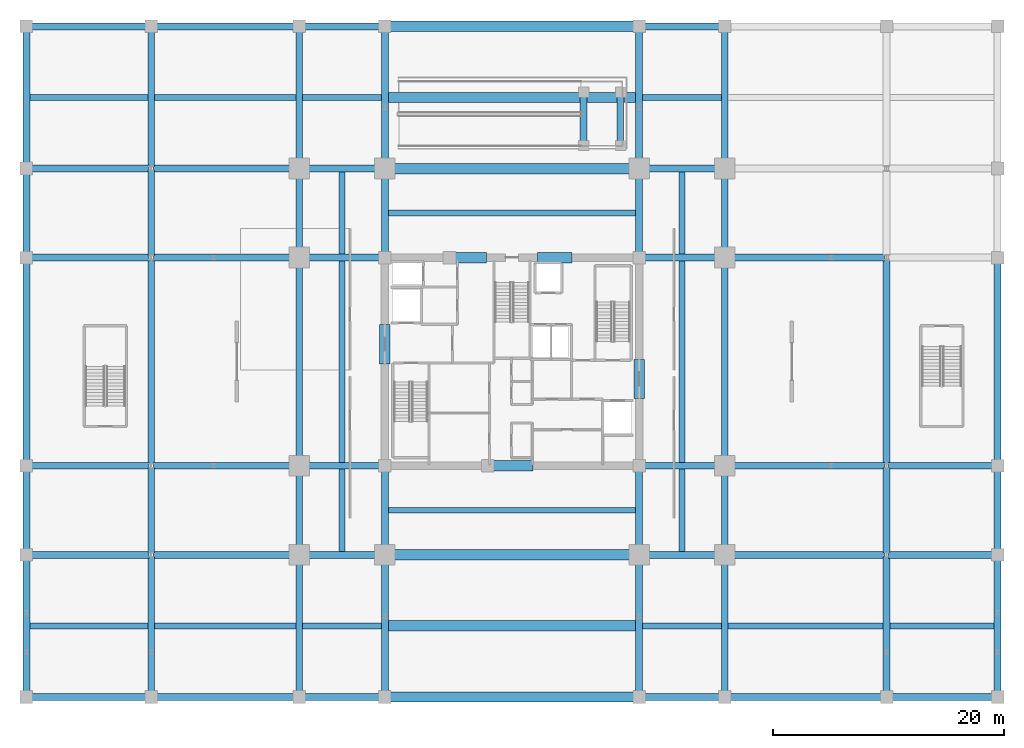
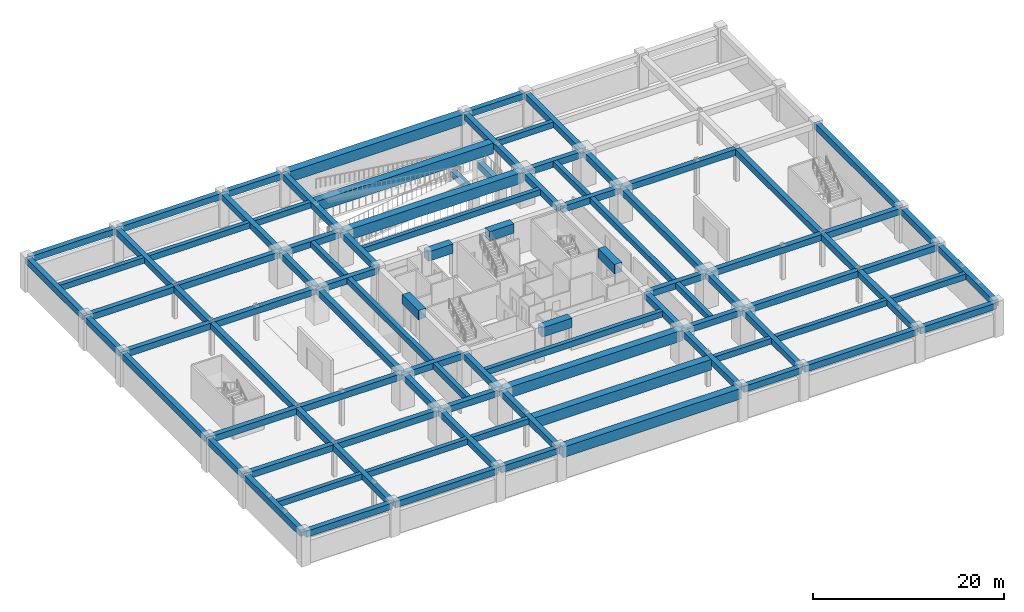
# One storey, part 4 of 16: 96 beams.
"""IFC4 building model written with IfcOpenShell, lengths in metres."""

from ifc_helpers import new_model, si_unit, direction, frame, origin, origin_2d, place, context, subcontext, project, spatial, rectangle, extrude, material, material_profile, profile_set, type_object, element, save


model = new_model("IFC4")

# Units and contexts
model_context = context("Model", 3, precision=1e-05, world=origin(), true_north=direction((0.0, 1.0)))
body_context = subcontext(model_context, "Body", "Model", "MODEL_VIEW")
ifc_project = project(units=[si_unit("LENGTHUNIT", "METRE"), si_unit("AREAUNIT", "SQUARE_METRE"), si_unit("VOLUMEUNIT", "CUBIC_METRE"), si_unit("PLANEANGLEUNIT", "RADIAN"), si_unit("MASSUNIT", "GRAM", prefix="KILO")], contexts=[model_context])

# Site, building, storey
site_placement = place(None, origin())
site = spatial("IfcSite", under=ifc_project, at=site_placement, CompositionType="ELEMENT")
building_placement = place(site_placement, origin())
building = spatial("IfcBuilding", under=site, at=building_placement, Name="Kovane Verandah Tower", CompositionType="ELEMENT")
storey_placement = place(building_placement, frame((0.0, 0.0, -4.5)))
storey = spatial("IfcBuildingStorey", under=building, at=storey_placement, Name="B1", CompositionType="ELEMENT", Elevation=-4.5)

# Beams
ifc_material_1 = material(Name="Concrete C80/95", Category="concrete")
ifc_material_profile_1 = material_profile(ifc_material_1, rectangle(XDim=0.89990234375, YDim=1.199951171875, at=origin_2d()), Name="RCB900x1200")
ifc_profile_set_1 = profile_set([ifc_material_profile_1], Name="Concrete C80/95")
beam_type_1 = type_object("IfcBeamType", Name="BM-LINTEL-900x1200", PredefinedType="LINTEL", material=ifc_profile_set_1)
beam_1_placement = place(storey_placement, frame((38.199951171875, 18.5, 3.6201171875), z_axis=(1.0, 0.0, 0.0), x_axis=(0.0, 1.0, 0.0)))
element("IfcBeam", 1, at=beam_1_placement, inside=storey, type_object=beam_type_1, Name="B1 Core Coupling Lintel CL-S", PredefinedType="LINTEL", context=body_context, shape_type="SweptSolid", body=[
    extrude(rectangle(XDim=0.89990234375, YDim=1.199951171875, at=origin_2d()), origin(), (0.0, 0.0, 1.0), 3.60009765625),
])
for number, where, z_axis, x_axis, name in (
    (2, (34.800048828125, 36.5, 3.6201171875), (1.0, 0.0, 0.0), (0.0, 1.0, 0.0), "B1 Core Coupling Lintel CL-N1"),
    (3, (42.199951171875, 36.5, 3.6201171875), (1.0, 0.0, 0.0), (0.0, 1.0, 0.0), "B1 Core Coupling Lintel CL-N2"),
):
    element("IfcBeam", number, at=place(storey_placement, frame(where, z_axis=z_axis, x_axis=x_axis)), inside=storey, type_object=beam_type_1, Name=name, PredefinedType="LINTEL", context=body_context, shape_type="SweptSolid", body=[
        extrude(rectangle(XDim=0.89990234375, YDim=1.199951171875, at=origin_2d()), origin(), (0.0, 0.0, 1.0), 3.0),
    ])
for number, where, z_axis, x_axis, name in (
    (4, (29.0, 27.300048828125, 3.6201171875), (0.0, 1.0, 0.0), (-1.0, 0.0, 0.0), "B1 Core Coupling Lintel CL-W"),
    (5, (51.0, 24.300048828125, 3.6201171875), (0.0, 1.0, 0.0), (-1.0, 0.0, 0.0), "B1 Core Coupling Lintel CL-E"),
):
    element("IfcBeam", number, at=place(storey_placement, frame(where, z_axis=z_axis, x_axis=x_axis)), inside=storey, type_object=beam_type_1, Name=name, PredefinedType="LINTEL", context=body_context, shape_type="SweptSolid", body=[
        extrude(rectangle(XDim=0.89990234375, YDim=1.199951171875, at=origin_2d()), origin(), (0.0, 0.0, 1.0), 3.39990234375),
    ])
ifc_material_2 = material(Name="Concrete C45/55", Category="concrete")
ifc_material_profile_2 = material_profile(ifc_material_2, rectangle(XDim=0.5, YDim=0.75, at=origin_2d()), Name="RCB500x750")
ifc_profile_set_2 = profile_set([ifc_material_profile_2], Name="Concrete C45/55")
beam_type_2 = type_object("IfcBeamType", Name="BM-RC-500x750", PredefinedType="BEAM", material=ifc_profile_set_2)
for number, where, z_axis, x_axis, name in (
    (6, (29.298095703125, 40.35009765625, 3.844970703125), (1.0, 0.0, 0.0), (0.0, 1.0, 0.0), "B1 Secondary Composite Joist J-N1"),
    (7, (29.298095703125, 14.64990234375, 3.844970703125), (1.0, 0.0, 0.0), (0.0, 1.0, 0.0), "B1 Secondary Composite Joist J-S1"),
):
    element("IfcBeam", number, at=place(storey_placement, frame(where, z_axis=z_axis, x_axis=x_axis)), inside=storey, type_object=beam_type_2, Name=name, PredefinedType="BEAM", context=body_context, shape_type="SweptSolid", body=[
        extrude(rectangle(XDim=0.5, YDim=0.75, at=origin_2d()), origin(), (0.0, 0.0, 1.0), 21.40380859375),
    ])
for number, where, z_axis, x_axis, name in (
    (8, (25.300048828125, 18.798095703125, 3.844970703125), (0.0, 1.0, 0.0), (-1.0, 0.0, 0.0), "B1 Secondary Composite Joist J-W1"),
    (9, (54.699951171875, 18.798095703125, 3.844970703125), (0.0, 1.0, 0.0), (-1.0, 0.0, 0.0), "B1 Secondary Composite Joist J-E1"),
):
    element("IfcBeam", number, at=place(storey_placement, frame(where, z_axis=z_axis, x_axis=x_axis)), inside=storey, type_object=beam_type_2, Name=name, PredefinedType="BEAM", context=body_context, shape_type="SweptSolid", body=[
        extrude(rectangle(XDim=0.5, YDim=0.75, at=origin_2d()), origin(), (0.0, 0.0, 1.0), 17.40380859375),
    ])
for number, where, z_axis, x_axis, name in (
    (10, (25.300048828125, 11.097900390625, 3.844970703125), (0.0, 1.0, 0.0), (-1.0, 0.0, 0.0), "B1 Secondary Composite Joist J-SW1"),
    (11, (54.699951171875, 11.097900390625, 3.844970703125), (0.0, 1.0, 0.0), (-1.0, 0.0, 0.0), "B1 Secondary Composite Joist J-SE1"),
    (12, (25.300048828125, 36.798095703125, 3.844970703125), (0.0, 1.0, 0.0), (-1.0, 0.0, 0.0), "B1 Secondary Composite Joist J-NW1"),
    (13, (54.699951171875, 36.798095703125, 3.844970703125), (0.0, 1.0, 0.0), (-1.0, 0.0, 0.0), "B1 Secondary Composite Joist J-NE1"),
):
    element("IfcBeam", number, at=place(storey_placement, frame(where, z_axis=z_axis, x_axis=x_axis)), inside=storey, type_object=beam_type_2, Name=name, PredefinedType="BEAM", context=body_context, shape_type="SweptSolid", body=[
        extrude(rectangle(XDim=0.5, YDim=0.75, at=origin_2d()), origin(), (0.0, 0.0, 1.0), 7.10400390625),
    ])
beam_2_placement = place(storey_placement, frame((-1.701904296875, 4.64990234375, 3.844970703125), z_axis=(1.0, 0.0, 0.0), x_axis=(0.0, 1.0, 0.0)))
element("IfcBeam", 14, at=beam_2_placement, inside=storey, type_object=beam_type_2, Name="B1 Podium Secondary Joist 01", PredefinedType="BEAM", context=body_context, shape_type="SweptSolid", body=[
    extrude(rectangle(XDim=0.5, YDim=0.75, at=origin_2d()), origin(), (0.0, 0.0, 1.0), 10.203857421875),
])
beam_3_placement = place(storey_placement, frame((9.097900390625, 4.64990234375, 3.844970703125), z_axis=(1.0, 0.0, 0.0), x_axis=(0.0, 1.0, 0.0)))
element("IfcBeam", 15, at=beam_3_placement, inside=storey, type_object=beam_type_2, Name="B1 Podium Secondary Joist 02", PredefinedType="BEAM", context=body_context, shape_type="SweptSolid", body=[
    extrude(rectangle(XDim=0.5, YDim=0.75, at=origin_2d()), origin(), (0.0, 0.0, 1.0), 12.2041015625),
])
for number, where, z_axis, x_axis, name in (
    (16, (21.89794921875, 4.64990234375, 3.844970703125), (1.0, 0.0, 0.0), (0.0, 1.0, 0.0), "B1 Podium Secondary Joist 03"),
    (17, (51.298095703125, 4.64990234375, 3.844970703125), (1.0, 0.0, 0.0), (0.0, 1.0, 0.0), "B1 Podium Secondary Joist 05"),
):
    element("IfcBeam", number, at=place(storey_placement, frame(where, z_axis=z_axis, x_axis=x_axis)), inside=storey, type_object=beam_type_2, Name=name, PredefinedType="BEAM", context=body_context, shape_type="SweptSolid", body=[
        extrude(rectangle(XDim=0.5, YDim=0.75, at=origin_2d()), origin(), (0.0, 0.0, 1.0), 6.803955078125),
    ])
beam_4_placement = place(storey_placement, frame((58.697998046875, 4.64990234375, 3.844970703125), z_axis=(1.0, 0.0, 0.0), x_axis=(0.0, 1.0, 0.0)))
element("IfcBeam", 18, at=beam_4_placement, inside=storey, type_object=beam_type_2, Name="B1 Podium Secondary Joist 06", PredefinedType="BEAM", context=body_context, shape_type="SweptSolid", body=[
    extrude(rectangle(XDim=0.5, YDim=0.75, at=origin_2d()), origin(), (0.0, 0.0, 1.0), 13.404052734375),
])
beam_5_placement = place(storey_placement, frame((72.697998046875, 4.64990234375, 3.844970703125), z_axis=(1.0, 0.0, 0.0), x_axis=(0.0, 1.0, 0.0)))
element("IfcBeam", 19, at=beam_5_placement, inside=storey, type_object=beam_type_2, Name="B1 Podium Secondary Joist 07", PredefinedType="BEAM", context=body_context, shape_type="SweptSolid", body=[
    extrude(rectangle(XDim=0.5, YDim=0.75, at=origin_2d()), origin(), (0.0, 0.0, 1.0), 9.00390625),
])
beam_6_placement = place(storey_placement, frame((-1.701904296875, 50.35009765625, 3.844970703125), z_axis=(1.0, 0.0, 0.0), x_axis=(0.0, 1.0, 0.0)))
element("IfcBeam", 20, at=beam_6_placement, inside=storey, type_object=beam_type_2, Name="B1 Podium Secondary Joist 08", PredefinedType="BEAM", context=body_context, shape_type="SweptSolid", body=[
    extrude(rectangle(XDim=0.5, YDim=0.75, at=origin_2d()), origin(), (0.0, 0.0, 1.0), 10.203857421875),
])
beam_7_placement = place(storey_placement, frame((9.097900390625, 50.35009765625, 3.844970703125), z_axis=(1.0, 0.0, 0.0), x_axis=(0.0, 1.0, 0.0)))
element("IfcBeam", 21, at=beam_7_placement, inside=storey, type_object=beam_type_2, Name="B1 Podium Secondary Joist 09", PredefinedType="BEAM", context=body_context, shape_type="SweptSolid", body=[
    extrude(rectangle(XDim=0.5, YDim=0.75, at=origin_2d()), origin(), (0.0, 0.0, 1.0), 12.2041015625),
])
for number, where, z_axis, x_axis, name in (
    (22, (21.89794921875, 50.35009765625, 3.844970703125), (1.0, 0.0, 0.0), (0.0, 1.0, 0.0), "B1 Podium Secondary Joist 10"),
    (23, (51.298095703125, 50.35009765625, 3.844970703125), (1.0, 0.0, 0.0), (0.0, 1.0, 0.0), "B1 Podium Secondary Joist 12"),
):
    element("IfcBeam", number, at=place(storey_placement, frame(where, z_axis=z_axis, x_axis=x_axis)), inside=storey, type_object=beam_type_2, Name=name, PredefinedType="BEAM", context=body_context, shape_type="SweptSolid", body=[
        extrude(rectangle(XDim=0.5, YDim=0.75, at=origin_2d()), origin(), (0.0, 0.0, 1.0), 6.803955078125),
    ])
ifc_material_profile_3 = material_profile(ifc_material_2, rectangle(XDim=0.60009765625, YDim=0.800048828125, at=origin_2d()), Name="RCB600x800")
ifc_profile_set_3 = profile_set([ifc_material_profile_3], Name="Concrete C45/55")
beam_type_3 = type_object("IfcBeamType", Name="BM-RC-600x800", PredefinedType="BEAM", material=ifc_profile_set_3)
for number, where, z_axis, x_axis, name in (
    (24, (21.780029296875, 44.199951171875, 3.820068359375), (1.0, 0.0, 0.0), (0.0, 1.0, 0.0), "B1 Primary Tower Girder G-RN1"),
    (25, (51.179931640625, 44.199951171875, 3.820068359375), (1.0, 0.0, 0.0), (0.0, 1.0, 0.0), "B1 Primary Tower Girder G-RN3"),
    (26, (21.780029296875, 10.800048828125, 3.820068359375), (1.0, 0.0, 0.0), (0.0, 1.0, 0.0), "B1 Primary Tower Girder G-RS1"),
    (27, (51.179931640625, 10.800048828125, 3.820068359375), (1.0, 0.0, 0.0), (0.0, 1.0, 0.0), "B1 Primary Tower Girder G-RS3"),
):
    element("IfcBeam", number, at=place(storey_placement, frame(where, z_axis=z_axis, x_axis=x_axis)), inside=storey, type_object=beam_type_3, Name=name, PredefinedType="BEAM", context=body_context, shape_type="SweptSolid", body=[
        extrude(rectangle(XDim=0.60009765625, YDim=0.800048828125, at=origin_2d()), origin(), (0.0, 0.0, 1.0), 7.0400390625),
    ])
beam_8_placement = place(storey_placement, frame((21.60009765625, 10.97998046875, 3.820068359375), z_axis=(0.0, 1.0, 0.0), x_axis=(-1.0, 0.0, 0.0)))
element("IfcBeam", 28, at=beam_8_placement, inside=storey, type_object=beam_type_3, Name="B1 Primary Tower Girder G-RW1", PredefinedType="BEAM", context=body_context, shape_type="SweptSolid", body=[
    extrude(rectangle(XDim=0.60009765625, YDim=0.800048828125, at=origin_2d()), origin(), (0.0, 0.0, 1.0), 7.340087890625),
])
beam_9_placement = place(storey_placement, frame((21.60009765625, 18.679931640625, 3.820068359375), z_axis=(0.0, 1.0, 0.0), x_axis=(-1.0, 0.0, 0.0)))
element("IfcBeam", 29, at=beam_9_placement, inside=storey, type_object=beam_type_3, Name="B1 Primary Tower Girder G-RW2", PredefinedType="BEAM", context=body_context, shape_type="SweptSolid", body=[
    extrude(rectangle(XDim=0.60009765625, YDim=0.800048828125, at=origin_2d()), origin(), (0.0, 0.0, 1.0), 17.64013671875),
])
for number, where, z_axis, x_axis, name in (
    (30, (21.60009765625, 36.679931640625, 3.820068359375), (0.0, 1.0, 0.0), (-1.0, 0.0, 0.0), "B1 Primary Tower Girder G-RW3"),
    (31, (58.39990234375, 10.97998046875, 3.820068359375), (0.0, 1.0, 0.0), (-1.0, 0.0, 0.0), "B1 Primary Tower Girder G-RE1"),
):
    element("IfcBeam", number, at=place(storey_placement, frame(where, z_axis=z_axis, x_axis=x_axis)), inside=storey, type_object=beam_type_3, Name=name, PredefinedType="BEAM", context=body_context, shape_type="SweptSolid", body=[
        extrude(rectangle(XDim=0.60009765625, YDim=0.800048828125, at=origin_2d()), origin(), (0.0, 0.0, 1.0), 7.340087890625),
    ])
beam_10_placement = place(storey_placement, frame((58.39990234375, 18.679931640625, 3.820068359375), z_axis=(0.0, 1.0, 0.0), x_axis=(-1.0, 0.0, 0.0)))
element("IfcBeam", 32, at=beam_10_placement, inside=storey, type_object=beam_type_3, Name="B1 Primary Tower Girder G-RE2", PredefinedType="BEAM", context=body_context, shape_type="SweptSolid", body=[
    extrude(rectangle(XDim=0.60009765625, YDim=0.800048828125, at=origin_2d()), origin(), (0.0, 0.0, 1.0), 17.64013671875),
])
beam_11_placement = place(storey_placement, frame((58.39990234375, 36.679931640625, 3.820068359375), z_axis=(0.0, 1.0, 0.0), x_axis=(-1.0, 0.0, 0.0)))
element("IfcBeam", 33, at=beam_11_placement, inside=storey, type_object=beam_type_3, Name="B1 Primary Tower Girder G-RE3", PredefinedType="BEAM", context=body_context, shape_type="SweptSolid", body=[
    extrude(rectangle(XDim=0.60009765625, YDim=0.800048828125, at=origin_2d()), origin(), (0.0, 0.0, 1.0), 7.340087890625),
])
for number, where, z_axis, x_axis, name in (
    (34, (28.820068359375, 18.5, 3.820068359375), (-1.0, 0.0, 0.0), (0.0, -1.0, 0.0), "B1 Primary Tower Girder G-W1"),
    (35, (28.820068359375, 36.5, 3.820068359375), (-1.0, 0.0, 0.0), (0.0, -1.0, 0.0), "B1 Primary Tower Girder G-W2"),
    (36, (51.179931640625, 18.5, 3.820068359375), (1.0, 0.0, 0.0), (0.0, 1.0, 0.0), "B1 Primary Tower Girder G-E1"),
    (37, (51.179931640625, 36.5, 3.820068359375), (1.0, 0.0, 0.0), (0.0, 1.0, 0.0), "B1 Primary Tower Girder G-E2"),
):
    element("IfcBeam", number, at=place(storey_placement, frame(where, z_axis=z_axis, x_axis=x_axis)), inside=storey, type_object=beam_type_3, Name=name, PredefinedType="BEAM", context=body_context, shape_type="SweptSolid", body=[
        extrude(rectangle(XDim=0.60009765625, YDim=0.800048828125, at=origin_2d()), origin(), (0.0, 0.0, 1.0), 7.0400390625),
    ])
for number, where, z_axis, x_axis, name in (
    (38, (29.0, 18.320068359375, 3.820068359375), (0.0, -1.0, 0.0), (1.0, 0.0, 0.0), "B1 Primary Tower Girder G-S1"),
    (39, (51.0, 18.320068359375, 3.820068359375), (0.0, -1.0, 0.0), (1.0, 0.0, 0.0), "B1 Primary Tower Girder G-S2"),
    (40, (29.0, 36.679931640625, 3.820068359375), (0.0, 1.0, 0.0), (-1.0, 0.0, 0.0), "B1 Primary Tower Girder G-N1"),
    (41, (51.0, 36.679931640625, 3.820068359375), (0.0, 1.0, 0.0), (-1.0, 0.0, 0.0), "B1 Primary Tower Girder G-N2"),
):
    element("IfcBeam", number, at=place(storey_placement, frame(where, z_axis=z_axis, x_axis=x_axis)), inside=storey, type_object=beam_type_3, Name=name, PredefinedType="BEAM", context=body_context, shape_type="SweptSolid", body=[
        extrude(rectangle(XDim=0.60009765625, YDim=0.800048828125, at=origin_2d()), origin(), (0.0, 0.0, 1.0), 7.340087890625),
    ])
beam_12_placement = place(storey_placement, frame((-1.820068359375, -1.5, 3.820068359375), z_axis=(1.0, 0.0, 0.0), x_axis=(0.0, 1.0, 0.0)))
element("IfcBeam", 42, at=beam_12_placement, inside=storey, type_object=beam_type_3, Name="B1 Podium Grid Girder X01", PredefinedType="BEAM", context=body_context, shape_type="SweptSolid", body=[
    extrude(rectangle(XDim=0.60009765625, YDim=0.800048828125, at=origin_2d()), origin(), (0.0, 0.0, 1.0), 10.440185546875),
])
beam_13_placement = place(storey_placement, frame((8.97998046875, -1.5, 3.820068359375), z_axis=(1.0, 0.0, 0.0), x_axis=(0.0, 1.0, 0.0)))
element("IfcBeam", 43, at=beam_13_placement, inside=storey, type_object=beam_type_3, Name="B1 Podium Grid Girder X02", PredefinedType="BEAM", context=body_context, shape_type="SweptSolid", body=[
    extrude(rectangle(XDim=0.60009765625, YDim=0.800048828125, at=origin_2d()), origin(), (0.0, 0.0, 1.0), 12.43994140625),
])
for number, where, z_axis, x_axis, name in (
    (44, (21.780029296875, -1.5, 3.820068359375), (1.0, 0.0, 0.0), (0.0, 1.0, 0.0), "B1 Podium Grid Girder X03"),
    (45, (51.179931640625, -1.5, 3.820068359375), (1.0, 0.0, 0.0), (0.0, 1.0, 0.0), "B1 Podium Grid Girder X05"),
):
    element("IfcBeam", number, at=place(storey_placement, frame(where, z_axis=z_axis, x_axis=x_axis)), inside=storey, type_object=beam_type_3, Name=name, PredefinedType="BEAM", context=body_context, shape_type="SweptSolid", body=[
        extrude(rectangle(XDim=0.60009765625, YDim=0.800048828125, at=origin_2d()), origin(), (0.0, 0.0, 1.0), 7.0400390625),
    ])
beam_14_placement = place(storey_placement, frame((58.580078125, -1.5, 3.820068359375), z_axis=(1.0, 0.0, 0.0), x_axis=(0.0, 1.0, 0.0)))
element("IfcBeam", 46, at=beam_14_placement, inside=storey, type_object=beam_type_3, Name="B1 Podium Grid Girder X06", PredefinedType="BEAM", context=body_context, shape_type="SweptSolid", body=[
    extrude(rectangle(XDim=0.60009765625, YDim=0.800048828125, at=origin_2d()), origin(), (0.0, 0.0, 1.0), 13.639892578125),
])
beam_15_placement = place(storey_placement, frame((72.580078125, -1.5, 3.820068359375), z_axis=(1.0, 0.0, 0.0), x_axis=(0.0, 1.0, 0.0)))
element("IfcBeam", 47, at=beam_15_placement, inside=storey, type_object=beam_type_3, Name="B1 Podium Grid Girder X07", PredefinedType="BEAM", context=body_context, shape_type="SweptSolid", body=[
    extrude(rectangle(XDim=0.60009765625, YDim=0.800048828125, at=origin_2d()), origin(), (0.0, 0.0, 1.0), 9.239990234375),
])
beam_16_placement = place(storey_placement, frame((-1.820068359375, 10.800048828125, 3.820068359375), z_axis=(1.0, 0.0, 0.0), x_axis=(0.0, 1.0, 0.0)))
element("IfcBeam", 48, at=beam_16_placement, inside=storey, type_object=beam_type_3, Name="B1 Podium Grid Girder X08", PredefinedType="BEAM", context=body_context, shape_type="SweptSolid", body=[
    extrude(rectangle(XDim=0.60009765625, YDim=0.800048828125, at=origin_2d()), origin(), (0.0, 0.0, 1.0), 10.440185546875),
])
beam_17_placement = place(storey_placement, frame((8.97998046875, 10.800048828125, 3.820068359375), z_axis=(1.0, 0.0, 0.0), x_axis=(0.0, 1.0, 0.0)))
element("IfcBeam", 49, at=beam_17_placement, inside=storey, type_object=beam_type_3, Name="B1 Podium Grid Girder X09", PredefinedType="BEAM", context=body_context, shape_type="SweptSolid", body=[
    extrude(rectangle(XDim=0.60009765625, YDim=0.800048828125, at=origin_2d()), origin(), (0.0, 0.0, 1.0), 12.43994140625),
])
beam_18_placement = place(storey_placement, frame((58.580078125, 10.800048828125, 3.820068359375), z_axis=(1.0, 0.0, 0.0), x_axis=(0.0, 1.0, 0.0)))
element("IfcBeam", 50, at=beam_18_placement, inside=storey, type_object=beam_type_3, Name="B1 Podium Grid Girder X10", PredefinedType="BEAM", context=body_context, shape_type="SweptSolid", body=[
    extrude(rectangle(XDim=0.60009765625, YDim=0.800048828125, at=origin_2d()), origin(), (0.0, 0.0, 1.0), 13.639892578125),
])
beam_19_placement = place(storey_placement, frame((72.580078125, 10.800048828125, 3.820068359375), z_axis=(1.0, 0.0, 0.0), x_axis=(0.0, 1.0, 0.0)))
element("IfcBeam", 51, at=beam_19_placement, inside=storey, type_object=beam_type_3, Name="B1 Podium Grid Girder X11", PredefinedType="BEAM", context=body_context, shape_type="SweptSolid", body=[
    extrude(rectangle(XDim=0.60009765625, YDim=0.800048828125, at=origin_2d()), origin(), (0.0, 0.0, 1.0), 9.239990234375),
])
beam_20_placement = place(storey_placement, frame((-1.820068359375, 18.5, 3.820068359375), z_axis=(1.0, 0.0, 0.0), x_axis=(0.0, 1.0, 0.0)))
element("IfcBeam", 52, at=beam_20_placement, inside=storey, type_object=beam_type_3, Name="B1 Podium Grid Girder X12", PredefinedType="BEAM", context=body_context, shape_type="SweptSolid", body=[
    extrude(rectangle(XDim=0.60009765625, YDim=0.800048828125, at=origin_2d()), origin(), (0.0, 0.0, 1.0), 10.440185546875),
])
beam_21_placement = place(storey_placement, frame((8.97998046875, 18.5, 3.820068359375), z_axis=(1.0, 0.0, 0.0), x_axis=(0.0, 1.0, 0.0)))
element("IfcBeam", 53, at=beam_21_placement, inside=storey, type_object=beam_type_3, Name="B1 Podium Grid Girder X13", PredefinedType="BEAM", context=body_context, shape_type="SweptSolid", body=[
    extrude(rectangle(XDim=0.60009765625, YDim=0.800048828125, at=origin_2d()), origin(), (0.0, 0.0, 1.0), 12.43994140625),
])
beam_22_placement = place(storey_placement, frame((58.580078125, 18.5, 3.820068359375), z_axis=(1.0, 0.0, 0.0), x_axis=(0.0, 1.0, 0.0)))
element("IfcBeam", 54, at=beam_22_placement, inside=storey, type_object=beam_type_3, Name="B1 Podium Grid Girder X14", PredefinedType="BEAM", context=body_context, shape_type="SweptSolid", body=[
    extrude(rectangle(XDim=0.60009765625, YDim=0.800048828125, at=origin_2d()), origin(), (0.0, 0.0, 1.0), 13.639892578125),
])
beam_23_placement = place(storey_placement, frame((72.580078125, 18.5, 3.820068359375), z_axis=(1.0, 0.0, 0.0), x_axis=(0.0, 1.0, 0.0)))
element("IfcBeam", 55, at=beam_23_placement, inside=storey, type_object=beam_type_3, Name="B1 Podium Grid Girder X15", PredefinedType="BEAM", context=body_context, shape_type="SweptSolid", body=[
    extrude(rectangle(XDim=0.60009765625, YDim=0.800048828125, at=origin_2d()), origin(), (0.0, 0.0, 1.0), 9.239990234375),
])
beam_24_placement = place(storey_placement, frame((-1.820068359375, 36.5, 3.820068359375), z_axis=(1.0, 0.0, 0.0), x_axis=(0.0, 1.0, 0.0)))
element("IfcBeam", 56, at=beam_24_placement, inside=storey, type_object=beam_type_3, Name="B1 Podium Grid Girder X16", PredefinedType="BEAM", context=body_context, shape_type="SweptSolid", body=[
    extrude(rectangle(XDim=0.60009765625, YDim=0.800048828125, at=origin_2d()), origin(), (0.0, 0.0, 1.0), 10.440185546875),
])
beam_25_placement = place(storey_placement, frame((8.97998046875, 36.5, 3.820068359375), z_axis=(1.0, 0.0, 0.0), x_axis=(0.0, 1.0, 0.0)))
element("IfcBeam", 57, at=beam_25_placement, inside=storey, type_object=beam_type_3, Name="B1 Podium Grid Girder X17", PredefinedType="BEAM", context=body_context, shape_type="SweptSolid", body=[
    extrude(rectangle(XDim=0.60009765625, YDim=0.800048828125, at=origin_2d()), origin(), (0.0, 0.0, 1.0), 12.43994140625),
])
beam_26_placement = place(storey_placement, frame((58.580078125, 36.5, 3.820068359375), z_axis=(1.0, 0.0, 0.0), x_axis=(0.0, 1.0, 0.0)))
element("IfcBeam", 58, at=beam_26_placement, inside=storey, type_object=beam_type_3, Name="B1 Podium Grid Girder X18", PredefinedType="BEAM", context=body_context, shape_type="SweptSolid", body=[
    extrude(rectangle(XDim=0.60009765625, YDim=0.800048828125, at=origin_2d()), origin(), (0.0, 0.0, 1.0), 13.639892578125),
])
beam_27_placement = place(storey_placement, frame((-1.820068359375, 44.199951171875, 3.820068359375), z_axis=(1.0, 0.0, 0.0), x_axis=(0.0, 1.0, 0.0)))
element("IfcBeam", 59, at=beam_27_placement, inside=storey, type_object=beam_type_3, Name="B1 Podium Grid Girder X20", PredefinedType="BEAM", context=body_context, shape_type="SweptSolid", body=[
    extrude(rectangle(XDim=0.60009765625, YDim=0.800048828125, at=origin_2d()), origin(), (0.0, 0.0, 1.0), 10.440185546875),
])
beam_28_placement = place(storey_placement, frame((8.97998046875, 44.199951171875, 3.820068359375), z_axis=(1.0, 0.0, 0.0), x_axis=(0.0, 1.0, 0.0)))
element("IfcBeam", 60, at=beam_28_placement, inside=storey, type_object=beam_type_3, Name="B1 Podium Grid Girder X21", PredefinedType="BEAM", context=body_context, shape_type="SweptSolid", body=[
    extrude(rectangle(XDim=0.60009765625, YDim=0.800048828125, at=origin_2d()), origin(), (0.0, 0.0, 1.0), 12.43994140625),
])
beam_29_placement = place(storey_placement, frame((-1.820068359375, 56.5, 3.820068359375), z_axis=(1.0, 0.0, 0.0), x_axis=(0.0, 1.0, 0.0)))
element("IfcBeam", 61, at=beam_29_placement, inside=storey, type_object=beam_type_3, Name="B1 Podium Grid Girder X24", PredefinedType="BEAM", context=body_context, shape_type="SweptSolid", body=[
    extrude(rectangle(XDim=0.60009765625, YDim=0.800048828125, at=origin_2d()), origin(), (0.0, 0.0, 1.0), 10.440185546875),
])
beam_30_placement = place(storey_placement, frame((8.97998046875, 56.5, 3.820068359375), z_axis=(1.0, 0.0, 0.0), x_axis=(0.0, 1.0, 0.0)))
element("IfcBeam", 62, at=beam_30_placement, inside=storey, type_object=beam_type_3, Name="B1 Podium Grid Girder X25", PredefinedType="BEAM", context=body_context, shape_type="SweptSolid", body=[
    extrude(rectangle(XDim=0.60009765625, YDim=0.800048828125, at=origin_2d()), origin(), (0.0, 0.0, 1.0), 12.43994140625),
])
for number, where, z_axis, x_axis, name in (
    (63, (21.780029296875, 56.5, 3.820068359375), (1.0, 0.0, 0.0), (0.0, 1.0, 0.0), "B1 Podium Grid Girder X26"),
    (64, (51.179931640625, 56.5, 3.820068359375), (1.0, 0.0, 0.0), (0.0, 1.0, 0.0), "B1 Podium Grid Girder X28"),
):
    element("IfcBeam", number, at=place(storey_placement, frame(where, z_axis=z_axis, x_axis=x_axis)), inside=storey, type_object=beam_type_3, Name=name, PredefinedType="BEAM", context=body_context, shape_type="SweptSolid", body=[
        extrude(rectangle(XDim=0.60009765625, YDim=0.800048828125, at=origin_2d()), origin(), (0.0, 0.0, 1.0), 7.0400390625),
    ])
beam_31_placement = place(storey_placement, frame((-2.0, -1.320068359375, 3.820068359375), z_axis=(0.0, 1.0, 0.0), x_axis=(-1.0, 0.0, 0.0)))
element("IfcBeam", 65, at=beam_31_placement, inside=storey, type_object=beam_type_3, Name="B1 Podium Grid Girder Y31", PredefinedType="BEAM", context=body_context, shape_type="SweptSolid", body=[
    extrude(rectangle(XDim=0.60009765625, YDim=0.800048828125, at=origin_2d()), origin(), (0.0, 0.0, 1.0), 11.940185546875),
])
beam_32_placement = place(storey_placement, frame((-2.0, 10.97998046875, 3.820068359375), z_axis=(0.0, 1.0, 0.0), x_axis=(-1.0, 0.0, 0.0)))
element("IfcBeam", 66, at=beam_32_placement, inside=storey, type_object=beam_type_3, Name="B1 Podium Grid Girder Y32", PredefinedType="BEAM", context=body_context, shape_type="SweptSolid", body=[
    extrude(rectangle(XDim=0.60009765625, YDim=0.800048828125, at=origin_2d()), origin(), (0.0, 0.0, 1.0), 7.340087890625),
])
beam_33_placement = place(storey_placement, frame((-2.0, 18.679931640625, 3.820068359375), z_axis=(0.0, 1.0, 0.0), x_axis=(-1.0, 0.0, 0.0)))
element("IfcBeam", 67, at=beam_33_placement, inside=storey, type_object=beam_type_3, Name="B1 Podium Grid Girder Y33", PredefinedType="BEAM", context=body_context, shape_type="SweptSolid", body=[
    extrude(rectangle(XDim=0.60009765625, YDim=0.800048828125, at=origin_2d()), origin(), (0.0, 0.0, 1.0), 17.64013671875),
])
beam_34_placement = place(storey_placement, frame((-2.0, 36.679931640625, 3.820068359375), z_axis=(0.0, 1.0, 0.0), x_axis=(-1.0, 0.0, 0.0)))
element("IfcBeam", 68, at=beam_34_placement, inside=storey, type_object=beam_type_3, Name="B1 Podium Grid Girder Y34", PredefinedType="BEAM", context=body_context, shape_type="SweptSolid", body=[
    extrude(rectangle(XDim=0.60009765625, YDim=0.800048828125, at=origin_2d()), origin(), (0.0, 0.0, 1.0), 7.340087890625),
])
for number, where, z_axis, x_axis, name in (
    (69, (-2.0, 44.3798828125, 3.820068359375), (0.0, 1.0, 0.0), (-1.0, 0.0, 0.0), "B1 Podium Grid Girder Y35"),
    (70, (8.800048828125, -1.320068359375, 3.820068359375), (0.0, 1.0, 0.0), (-1.0, 0.0, 0.0), "B1 Podium Grid Girder Y36"),
):
    element("IfcBeam", number, at=place(storey_placement, frame(where, z_axis=z_axis, x_axis=x_axis)), inside=storey, type_object=beam_type_3, Name=name, PredefinedType="BEAM", context=body_context, shape_type="SweptSolid", body=[
        extrude(rectangle(XDim=0.60009765625, YDim=0.800048828125, at=origin_2d()), origin(), (0.0, 0.0, 1.0), 11.940185546875),
    ])
beam_35_placement = place(storey_placement, frame((8.800048828125, 10.97998046875, 3.820068359375), z_axis=(0.0, 1.0, 0.0), x_axis=(-1.0, 0.0, 0.0)))
element("IfcBeam", 71, at=beam_35_placement, inside=storey, type_object=beam_type_3, Name="B1 Podium Grid Girder Y37", PredefinedType="BEAM", context=body_context, shape_type="SweptSolid", body=[
    extrude(rectangle(XDim=0.60009765625, YDim=0.800048828125, at=origin_2d()), origin(), (0.0, 0.0, 1.0), 7.340087890625),
])
beam_36_placement = place(storey_placement, frame((8.800048828125, 18.679931640625, 3.820068359375), z_axis=(0.0, 1.0, 0.0), x_axis=(-1.0, 0.0, 0.0)))
element("IfcBeam", 72, at=beam_36_placement, inside=storey, type_object=beam_type_3, Name="B1 Podium Grid Girder Y38", PredefinedType="BEAM", context=body_context, shape_type="SweptSolid", body=[
    extrude(rectangle(XDim=0.60009765625, YDim=0.800048828125, at=origin_2d()), origin(), (0.0, 0.0, 1.0), 17.64013671875),
])
beam_37_placement = place(storey_placement, frame((8.800048828125, 36.679931640625, 3.820068359375), z_axis=(0.0, 1.0, 0.0), x_axis=(-1.0, 0.0, 0.0)))
element("IfcBeam", 73, at=beam_37_placement, inside=storey, type_object=beam_type_3, Name="B1 Podium Grid Girder Y39", PredefinedType="BEAM", context=body_context, shape_type="SweptSolid", body=[
    extrude(rectangle(XDim=0.60009765625, YDim=0.800048828125, at=origin_2d()), origin(), (0.0, 0.0, 1.0), 7.340087890625),
])
for number, where, z_axis, x_axis, name in (
    (74, (8.800048828125, 44.3798828125, 3.820068359375), (0.0, 1.0, 0.0), (-1.0, 0.0, 0.0), "B1 Podium Grid Girder Y40"),
    (75, (21.60009765625, -1.320068359375, 3.820068359375), (0.0, 1.0, 0.0), (-1.0, 0.0, 0.0), "B1 Podium Grid Girder Y41"),
    (76, (21.60009765625, 44.3798828125, 3.820068359375), (0.0, 1.0, 0.0), (-1.0, 0.0, 0.0), "B1 Podium Grid Girder Y42"),
    (77, (29.0, -1.320068359375, 3.820068359375), (0.0, 1.0, 0.0), (-1.0, 0.0, 0.0), "B1 Podium Grid Girder Y43"),
    (78, (29.0, 44.3798828125, 3.820068359375), (0.0, 1.0, 0.0), (-1.0, 0.0, 0.0), "B1 Podium Grid Girder Y44"),
    (79, (51.0, -1.320068359375, 3.820068359375), (0.0, 1.0, 0.0), (-1.0, 0.0, 0.0), "B1 Podium Grid Girder Y45"),
    (80, (51.0, 44.3798828125, 3.820068359375), (0.0, 1.0, 0.0), (-1.0, 0.0, 0.0), "B1 Podium Grid Girder Y46"),
    (81, (58.39990234375, -1.320068359375, 3.820068359375), (0.0, 1.0, 0.0), (-1.0, 0.0, 0.0), "B1 Podium Grid Girder Y47"),
    (82, (58.39990234375, 44.3798828125, 3.820068359375), (0.0, 1.0, 0.0), (-1.0, 0.0, 0.0), "B1 Podium Grid Girder Y48"),
    (83, (72.39990234375, -1.320068359375, 3.820068359375), (0.0, 1.0, 0.0), (-1.0, 0.0, 0.0), "B1 Podium Grid Girder Y49"),
):
    element("IfcBeam", number, at=place(storey_placement, frame(where, z_axis=z_axis, x_axis=x_axis)), inside=storey, type_object=beam_type_3, Name=name, PredefinedType="BEAM", context=body_context, shape_type="SweptSolid", body=[
        extrude(rectangle(XDim=0.60009765625, YDim=0.800048828125, at=origin_2d()), origin(), (0.0, 0.0, 1.0), 11.940185546875),
    ])
beam_38_placement = place(storey_placement, frame((72.39990234375, 10.97998046875, 3.820068359375), z_axis=(0.0, 1.0, 0.0), x_axis=(-1.0, 0.0, 0.0)))
element("IfcBeam", 84, at=beam_38_placement, inside=storey, type_object=beam_type_3, Name="B1 Podium Grid Girder Y50", PredefinedType="BEAM", context=body_context, shape_type="SweptSolid", body=[
    extrude(rectangle(XDim=0.60009765625, YDim=0.800048828125, at=origin_2d()), origin(), (0.0, 0.0, 1.0), 7.340087890625),
])
beam_39_placement = place(storey_placement, frame((72.39990234375, 18.679931640625, 3.820068359375), z_axis=(0.0, 1.0, 0.0), x_axis=(-1.0, 0.0, 0.0)))
element("IfcBeam", 85, at=beam_39_placement, inside=storey, type_object=beam_type_3, Name="B1 Podium Grid Girder Y51", PredefinedType="BEAM", context=body_context, shape_type="SweptSolid", body=[
    extrude(rectangle(XDim=0.60009765625, YDim=0.800048828125, at=origin_2d()), origin(), (0.0, 0.0, 1.0), 17.64013671875),
])
beam_40_placement = place(storey_placement, frame((82.0, -1.320068359375, 3.820068359375), z_axis=(0.0, 1.0, 0.0), x_axis=(-1.0, 0.0, 0.0)))
element("IfcBeam", 86, at=beam_40_placement, inside=storey, type_object=beam_type_3, Name="B1 Podium Grid Girder Y54", PredefinedType="BEAM", context=body_context, shape_type="SweptSolid", body=[
    extrude(rectangle(XDim=0.60009765625, YDim=0.800048828125, at=origin_2d()), origin(), (0.0, 0.0, 1.0), 11.940185546875),
])
beam_41_placement = place(storey_placement, frame((82.0, 10.97998046875, 3.820068359375), z_axis=(0.0, 1.0, 0.0), x_axis=(-1.0, 0.0, 0.0)))
element("IfcBeam", 87, at=beam_41_placement, inside=storey, type_object=beam_type_3, Name="B1 Podium Grid Girder Y55", PredefinedType="BEAM", context=body_context, shape_type="SweptSolid", body=[
    extrude(rectangle(XDim=0.60009765625, YDim=0.800048828125, at=origin_2d()), origin(), (0.0, 0.0, 1.0), 7.340087890625),
])
beam_42_placement = place(storey_placement, frame((82.0, 18.679931640625, 3.820068359375), z_axis=(0.0, 1.0, 0.0), x_axis=(-1.0, 0.0, 0.0)))
element("IfcBeam", 88, at=beam_42_placement, inside=storey, type_object=beam_type_3, Name="B1 Podium Grid Girder Y56", PredefinedType="BEAM", context=body_context, shape_type="SweptSolid", body=[
    extrude(rectangle(XDim=0.60009765625, YDim=0.800048828125, at=origin_2d()), origin(), (0.0, 0.0, 1.0), 17.64013671875),
])
for number, where, z_axis, x_axis, name in (
    (89, (46.199951171875, 46.35009765625, 1.60009765625), (0.0, 1.0, 0.0), (-1.0, 0.0, 0.0), "B1 Vehicle Ramp Landing Support Beam 1"),
    (90, (49.39990234375, 46.35009765625, 1.60009765625), (0.0, 1.0, 0.0), (-1.0, 0.0, 0.0), "B1 Vehicle Ramp Landing Support Beam 2"),
):
    element("IfcBeam", number, at=place(storey_placement, frame(where, z_axis=z_axis, x_axis=x_axis)), inside=storey, type_object=beam_type_3, Name=name, PredefinedType="BEAM", context=body_context, shape_type="SweptSolid", body=[
        extrude(rectangle(XDim=0.60009765625, YDim=0.800048828125, at=origin_2d()), origin(), (0.0, 0.0, 1.0), 4.2998046875),
    ])
ifc_material_profile_4 = material_profile(ifc_material_1, rectangle(XDim=0.89990234375, YDim=1.35009765625, at=origin_2d()), Name="RCB900x1350")
ifc_profile_set_4 = profile_set([ifc_material_profile_4], Name="Concrete C80/95")
beam_type_4 = type_object("IfcBeamType", Name="BM-TR-900x1350", PredefinedType="BEAM", material=ifc_profile_set_4)
for number, where, z_axis, x_axis, name in (
    (91, (29.179931640625, 44.199951171875, 3.544921875), (1.0, 0.0, 0.0), (0.0, 1.0, 0.0), "B1 Primary Tower Girder G-RN2"),
    (92, (29.179931640625, 10.800048828125, 3.544921875), (1.0, 0.0, 0.0), (0.0, 1.0, 0.0), "B1 Primary Tower Girder G-RS2"),
    (93, (29.179931640625, -1.5, 3.544921875), (1.0, 0.0, 0.0), (0.0, 1.0, 0.0), "B1 Podium Grid Girder X04"),
    (94, (29.179931640625, 56.5, 3.544921875), (1.0, 0.0, 0.0), (0.0, 1.0, 0.0), "B1 Podium Grid Girder X27"),
):
    element("IfcBeam", number, at=place(storey_placement, frame(where, z_axis=z_axis, x_axis=x_axis)), inside=storey, type_object=beam_type_4, Name=name, PredefinedType="BEAM", context=body_context, shape_type="SweptSolid", body=[
        extrude(rectangle(XDim=0.89990234375, YDim=1.35009765625, at=origin_2d()), origin(), (0.0, 0.0, 1.0), 21.64013671875),
    ])
for number, where, z_axis, x_axis, name in (
    (95, (29.298095703125, 4.64990234375, 3.544921875), (1.0, 0.0, 0.0), (0.0, 1.0, 0.0), "B1 Podium Secondary Joist 04"),
    (96, (29.298095703125, 50.35009765625, 3.544921875), (1.0, 0.0, 0.0), (0.0, 1.0, 0.0), "B1 Podium Secondary Joist 11"),
):
    element("IfcBeam", number, at=place(storey_placement, frame(where, z_axis=z_axis, x_axis=x_axis)), inside=storey, type_object=beam_type_4, Name=name, PredefinedType="BEAM", context=body_context, shape_type="SweptSolid", body=[
        extrude(rectangle(XDim=0.89990234375, YDim=1.35009765625, at=origin_2d()), origin(), (0.0, 0.0, 1.0), 21.40380859375),
    ])

save(model, "model.ifc")
